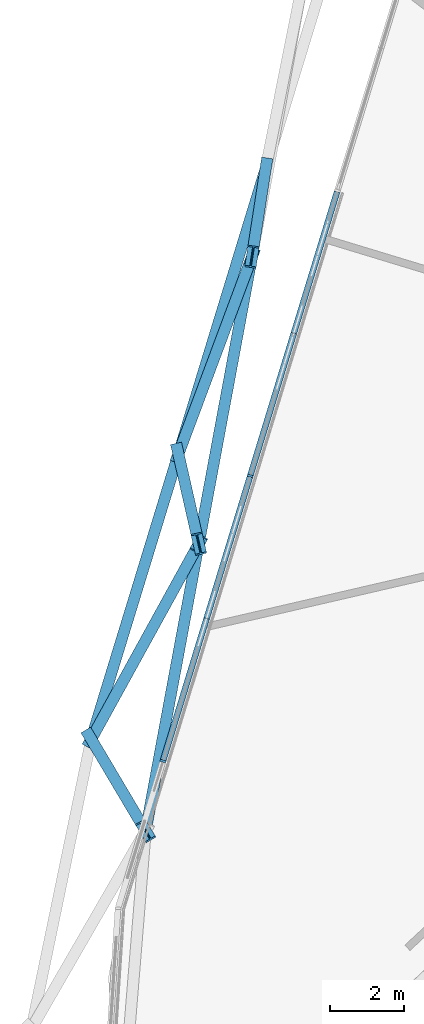
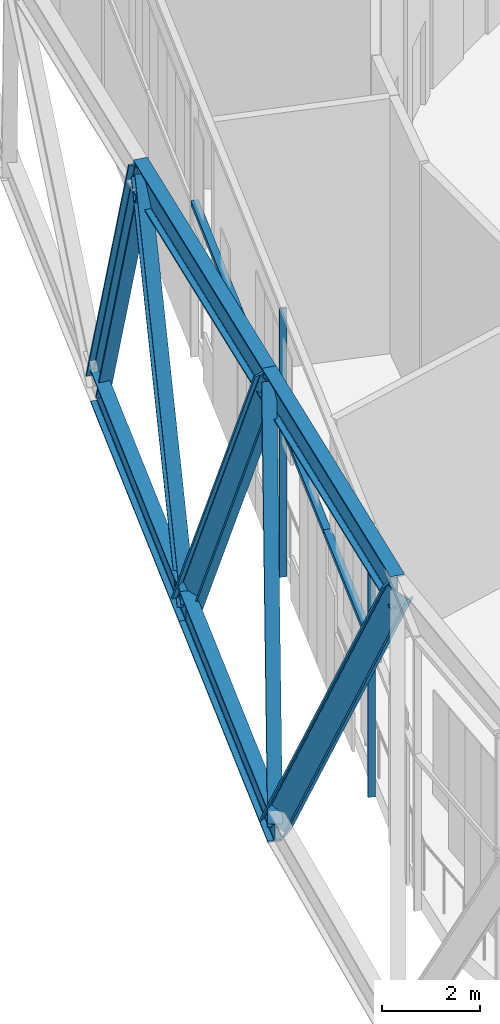
# One storey, part 4 of 25: 15 members, 2 elements without a shape of their own.
"""IFC4 building model written with IfcOpenShell, lengths in metres."""

from ifc_helpers import new_model, si_unit, direction, frame, origin, origin_2d, place, context, subcontext, project, spatial, rectangle, i_section, extrude, material, layer, layer_set, material_profile, profile_set, type_object, element, aggregate, save


model = new_model("IFC4")

# Units and contexts
model_context = context("Model", 3, precision=1e-05, world=origin(), true_north=direction((0.0, 1.0)))
body_context = subcontext(model_context, "Body", "Model", "MODEL_VIEW")
ifc_project = project(units=[si_unit("LENGTHUNIT", "METRE"), si_unit("AREAUNIT", "SQUARE_METRE"), si_unit("VOLUMEUNIT", "CUBIC_METRE"), si_unit("PLANEANGLEUNIT", "RADIAN"), si_unit("MASSUNIT", "GRAM", prefix="KILO")], contexts=[model_context])

# Site, building, storey
site_placement = place(None, origin())
site = spatial("IfcSite", under=ifc_project, at=site_placement, CompositionType="ELEMENT")
building_placement = place(site_placement, origin())
building = spatial("IfcBuilding", under=site, at=building_placement, Name="Spindle Arch Residences", CompositionType="ELEMENT")
storey_placement = place(building_placement, frame((0.0, 0.0, 144.89990234375)))
storey = spatial("IfcBuildingStorey", under=building, at=storey_placement, Name="L36", CompositionType="ELEMENT", Elevation=144.89990234375)

# Members
ifc_material_1 = material(Name="Steel S460ML, intumescent coating R 240", Category="steel")
ifc_material_profile_1 = material_profile(ifc_material_1, i_section(OverallWidth=0.302978515625, OverallDepth=0.81396484375, WebThickness=0.02099609375, FlangeThickness=0.0400390625, FilletRadius=0.030029296875, at=origin_2d()), Name="HEM 800")
ifc_profile_set_1 = profile_set([ifc_material_profile_1], Name="Steel S460ML, intumescent coating R 240")
member_type_1 = type_object("IfcMemberType", Name="Belt truss chord HEM 800", PredefinedType="CHORD", material=ifc_profile_set_1)
member_1_placement = place(storey_placement, frame((-19.682373046875, 7.4169921875, -0.85693359375), z_axis=(-0.292356809436, -0.956309309782, 0.0), x_axis=(0.956309309782, -0.292356809436, 0.0)))
element("IfcMember", 1, at=member_1_placement, inside=storey, type_object=member_type_1, Name="Belt truss bottom chord L36.15", PredefinedType="CHORD", context=body_context, shape_type="SweptSolid", body=[
    extrude(i_section(OverallWidth=0.302978515625, OverallDepth=0.81396484375, WebThickness=0.02099609375, FlangeThickness=0.0400390625, FilletRadius=0.030029296875, at=origin_2d()), origin(), (0.0, 0.0, 1.0), 8.029296875),
])
member_2_placement = place(storey_placement, frame((-22.02978515625, -0.261474609375, -0.85693359375), z_axis=(-0.292393118485, -0.956298208857, 0.0), x_axis=(0.956298208857, -0.292393118485, 0.0)))
element("IfcMember", 2, at=member_2_placement, inside=storey, type_object=member_type_1, Name="Belt truss bottom chord L36.16", PredefinedType="CHORD", context=body_context, shape_type="SweptSolid", body=[
    extrude(i_section(OverallWidth=0.302978515625, OverallDepth=0.81396484375, WebThickness=0.02099609375, FlangeThickness=0.0400390625, FilletRadius=0.030029296875, at=origin_2d()), origin(), (0.0, 0.0, 1.0), 8.029052734375),
])
member_3_placement = place(storey_placement, frame((-20.048583984375, 5.048095703125, 5.943115234375), z_axis=(-0.182262767492, -0.983249858167, 0.0), x_axis=(0.983249858167, -0.182262767492, 0.0)))
element("IfcMember", 3, at=member_3_placement, inside=storey, type_object=member_type_1, Name="Belt truss top chord L36.15", PredefinedType="CHORD", context=body_context, shape_type="SweptSolid", body=[
    extrude(i_section(OverallWidth=0.302978515625, OverallDepth=0.81396484375, WebThickness=0.02099609375, FlangeThickness=0.0400390625, FilletRadius=0.030029296875, at=origin_2d()), origin(), (0.0, 0.0, 1.0), 7.860107421875),
])
member_4_placement = place(storey_placement, frame((-21.481201171875, -2.680419921875, 5.943115234375), z_axis=(-0.182238304251, -0.983254392547, 0.0), x_axis=(0.983254392547, -0.182238304251, 0.0)))
element("IfcMember", 4, at=member_4_placement, inside=storey, type_object=member_type_1, Name="Belt truss top chord L36.16", PredefinedType="CHORD", context=body_context, shape_type="SweptSolid", body=[
    extrude(i_section(OverallWidth=0.302978515625, OverallDepth=0.81396484375, WebThickness=0.02099609375, FlangeThickness=0.0400390625, FilletRadius=0.030029296875, at=origin_2d()), origin(), (0.0, 0.0, 1.0), 7.85986328125),
])
ifc_material_2 = material(Name="Steel S460ML, intumescent coating R 240", Category="steel")
ifc_material_profile_2 = material_profile(ifc_material_2, i_section(OverallWidth=0.304931640625, OverallDepth=0.6201171875, WebThickness=0.02099609375, FlangeThickness=0.0400390625, FilletRadius=0.027099609375, at=origin_2d()), Name="HEM 600")
ifc_profile_set_2 = profile_set([ifc_material_profile_2], Name="Steel S460ML, intumescent coating R 240")
member_type_2 = type_object("IfcMemberType", Name="Belt truss diagonal HEM 600", PredefinedType="BRACE", material=ifc_profile_set_2)
member_5_placement = place(storey_placement, frame((-19.682373046875, 7.4169921875, -0.85693359375), z_axis=(-0.050790940036, -0.328549660778, 0.943120035209), x_axis=(0.988260753746, -0.152776577411, 0.0)))
element("IfcMember", 5, at=member_5_placement, inside=storey, type_object=member_type_2, Name="Belt truss diagonal L36.15.15", PredefinedType="BRACE", context=body_context, shape_type="SweptSolid", body=[
    extrude(i_section(OverallWidth=0.304931640625, OverallDepth=0.6201171875, WebThickness=0.02099609375, FlangeThickness=0.0400390625, FilletRadius=0.027099609375, at=origin_2d()), origin(), (0.0, 0.0, 1.0), 7.210205078125),
])
member_6_placement = place(storey_placement, frame((-22.02978515625, -0.261474609375, -0.85693359375), z_axis=(0.223814738042, 0.599817981877, 0.768196167428), x_axis=(-0.936901539872, 0.349593341735, 0.0)))
element("IfcMember", 6, at=member_6_placement, inside=storey, type_object=member_type_2, Name="Belt truss diagonal L36.15.16", PredefinedType="BRACE", context=body_context, shape_type="SweptSolid", body=[
    extrude(i_section(OverallWidth=0.304931640625, OverallDepth=0.6201171875, WebThickness=0.02099609375, FlangeThickness=0.0400390625, FilletRadius=0.027099609375, at=origin_2d()), origin(), (0.0, 0.0, 1.0), 8.85205078125),
])
member_7_placement = place(storey_placement, frame((-22.02978515625, -0.261474609375, -0.85693359375), z_axis=(0.075789123652, -0.334187199443, 0.939454588825), x_axis=(0.975235241514, 0.221170123908, 0.0)))
element("IfcMember", 7, at=member_7_placement, inside=storey, type_object=member_type_2, Name="Belt truss diagonal L36.16.16", PredefinedType="BRACE", context=body_context, shape_type="SweptSolid", body=[
    extrude(i_section(OverallWidth=0.304931640625, OverallDepth=0.6201171875, WebThickness=0.02099609375, FlangeThickness=0.0400390625, FilletRadius=0.027099609375, at=origin_2d()), origin(), (0.0, 0.0, 1.0), 7.23828125),
])
member_8_placement = place(storey_placement, frame((-24.37744140625, -7.939697265625, -0.85693359375), z_axis=(0.319274353255, 0.579769714054, 0.749620548024), x_axis=(-0.875959944611, 0.482383846575, 0.0)))
element("IfcMember", 8, at=member_8_placement, inside=storey, type_object=member_type_2, Name="Belt truss diagonal L36.16.17", PredefinedType="BRACE", context=body_context, shape_type="SweptSolid", body=[
    extrude(i_section(OverallWidth=0.304931640625, OverallDepth=0.6201171875, WebThickness=0.02099609375, FlangeThickness=0.0400390625, FilletRadius=0.027099609375, at=origin_2d()), origin(), (0.0, 0.0, 1.0), 9.0712890625),
])
member_9_placement = place(storey_placement, frame((-24.37744140625, -7.939697265625, -0.85693359375), z_axis=(0.198328490588, -0.33450567467, 0.921288100126), x_axis=(0.86017545468, 0.509998222709, 0.0)))
element("IfcMember", 9, at=member_9_placement, inside=storey, type_object=member_type_2, Name="Belt truss diagonal L36.17.17", PredefinedType="BRACE", context=body_context, shape_type="SweptSolid", body=[
    extrude(i_section(OverallWidth=0.304931640625, OverallDepth=0.6201171875, WebThickness=0.02099609375, FlangeThickness=0.0400390625, FilletRadius=0.027099609375, at=origin_2d()), origin(), (0.0, 0.0, 1.0), 7.381103515625),
])

# Curtain wall, member
ifc_material_3 = material(Name="Aluminium bronze unitised frame with tinted glass", Category="aluminium")
ifc_layer = layer(ifc_material_3, 0.159912109375)
ifc_layer_set = layer_set([ifc_layer], Name="CW-E double-height winter garden wall")
curtain_wall_type = type_object("IfcCurtainWallType", Name="CW-E double-height winter garden wall", PredefinedType="NOTDEFINED", material=ifc_layer_set)
curtain_wall_1_placement = place(storey_placement, origin())
curtain_wall_1 = element("IfcCurtainWall", 10, at=curtain_wall_1_placement, inside=storey, type_object=curtain_wall_type, Name="CW-E L36 run 4", PredefinedType="NOTDEFINED")
ifc_material_4 = material(Name="Aluminium bronze anodised mullion", Category="aluminium")
ifc_material_profile_3 = material_profile(ifc_material_4, rectangle(XDim=0.159912109375, YDim=0.06005859375, at=origin_2d()), Name="MU 60x160")
ifc_profile_set_3 = profile_set([ifc_material_profile_3], Name="Aluminium bronze anodised mullion")
member_type_3 = type_object("IfcMemberType", Name="Bronze mullion 60x160", PredefinedType="MULLION", material=ifc_profile_set_3)
member_10_placement = place(storey_placement, frame((-20.09814453125, -0.85205078125, -0.449951171875), z_axis=(0.0, 0.0, 1.0), x_axis=(0.956304755963, -0.292371704723, 0.0)))
member_10 = element("IfcMember", 11, at=member_10_placement, type_object=member_type_3, Name="CW-E mullion 15", PredefinedType="MULLION", context=body_context, shape_type="SweptSolid", body=[
    extrude(rectangle(XDim=0.159912109375, YDim=0.06005859375, at=origin_2d()), origin(), (0.0, 0.0, 1.0), 6.679931640625),
])

curtain_wall_2_placement = place(storey_placement, origin())
curtain_wall_2 = element("IfcCurtainWall", 12, at=curtain_wall_2_placement, inside=storey, type_object=curtain_wall_type, Name="CW-E L36 run 5", PredefinedType="NOTDEFINED")
member_11_placement = place(storey_placement, frame((-22.44580078125, -8.5302734375, -0.449951171875), z_axis=(0.0, 0.0, 1.0), x_axis=(0.956304755963, -0.292371704723, 0.0)))
member_11 = element("IfcMember", 13, at=member_11_placement, type_object=member_type_3, Name="CW-E mullion 00", PredefinedType="MULLION", context=body_context, shape_type="SweptSolid", body=[
    extrude(rectangle(XDim=0.159912109375, YDim=0.06005859375, at=origin_2d()), origin(), (0.0, 0.0, 1.0), 6.679931640625),
])
aggregate(curtain_wall_2, [member_11])

# Member
ifc_material_5 = material(Name="Aluminium bronze anodised transom", Category="aluminium")
ifc_material_profile_4 = material_profile(ifc_material_5, rectangle(XDim=0.159912109375, YDim=0.1201171875, at=origin_2d()), Name="TR 120x160")
ifc_profile_set_4 = profile_set([ifc_material_profile_4], Name="Aluminium bronze anodised transom")
member_type_4 = type_object("IfcMemberType", Name="Bronze transom 120x160", PredefinedType="USERDEFINED", material=ifc_profile_set_4)
member_12_placement = place(storey_placement, frame((-17.759521484375, 6.797607421875, 3.400146484375), z_axis=(-0.292380419107, -0.956302091665, 0.0), x_axis=(0.956302091665, -0.292380419107, 0.0)))
member_12 = element("IfcMember", 14, at=member_12_placement, type_object=member_type_4, Name="CW-E transom 14Am", ObjectType="TRANSOM", PredefinedType="USERDEFINED", context=body_context, shape_type="SweptSolid", body=[
    extrude(rectangle(XDim=0.159912109375, YDim=0.1201171875, at=origin_2d()), origin(), (0.0, 0.0, 1.0), 3.984619140625),
])

member_13_placement = place(storey_placement, frame((-18.924560546875, 2.987060546875, 3.400146484375), z_axis=(-0.292324385352, -0.956319221666, 0.0), x_axis=(0.956319221666, -0.292324385352, 0.0)))
member_13 = element("IfcMember", 15, at=member_13_placement, type_object=member_type_4, Name="CW-E transom 14Bm", ObjectType="TRANSOM", PredefinedType="USERDEFINED", context=body_context, shape_type="SweptSolid", body=[
    extrude(rectangle(XDim=0.159912109375, YDim=0.1201171875, at=origin_2d()), origin(), (0.0, 0.0, 1.0), 3.984619140625),
])

member_14_placement = place(storey_placement, frame((-20.10693359375, -0.880859375, 3.400146484375), z_axis=(-0.2923975514, -0.956296853459, 0.0), x_axis=(0.956296853459, -0.2923975514, 0.0)))
member_14 = element("IfcMember", 16, at=member_14_placement, type_object=member_type_4, Name="CW-E transom 15Am", ObjectType="TRANSOM", PredefinedType="USERDEFINED", context=body_context, shape_type="SweptSolid", body=[
    extrude(rectangle(XDim=0.159912109375, YDim=0.1201171875, at=origin_2d()), origin(), (0.0, 0.0, 1.0), 3.984375),
])

member_15_placement = place(storey_placement, frame((-21.27197265625, -4.691162109375, 3.400146484375), z_axis=(-0.292380419107, -0.956302091665, 0.0), x_axis=(0.956302091665, -0.292380419107, 0.0)))
member_15 = element("IfcMember", 17, at=member_15_placement, type_object=member_type_4, Name="CW-E transom 15Bm", ObjectType="TRANSOM", PredefinedType="USERDEFINED", context=body_context, shape_type="SweptSolid", body=[
    extrude(rectangle(XDim=0.159912109375, YDim=0.1201171875, at=origin_2d()), origin(), (0.0, 0.0, 1.0), 3.984619140625),
])

aggregate(curtain_wall_1, [member_12, member_13, member_10, member_14, member_15])

save(model, "model.ifc")
